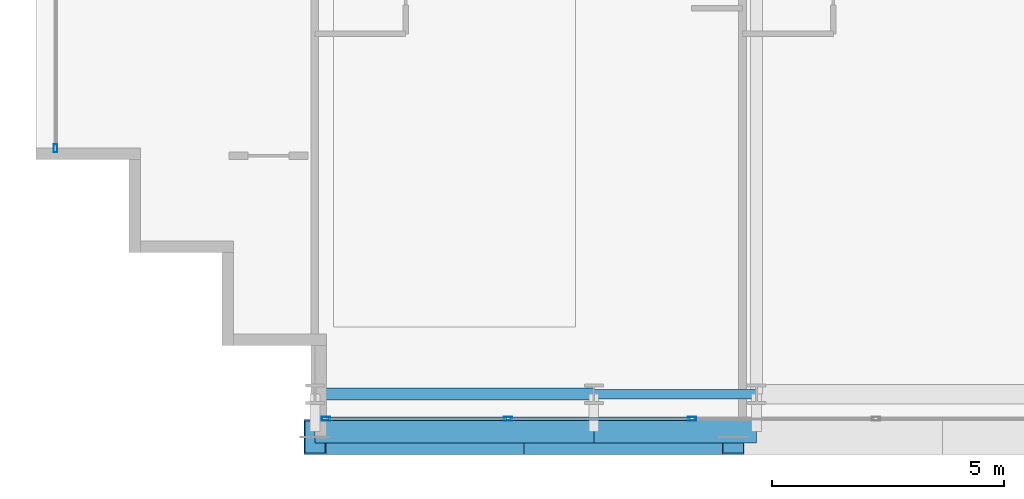
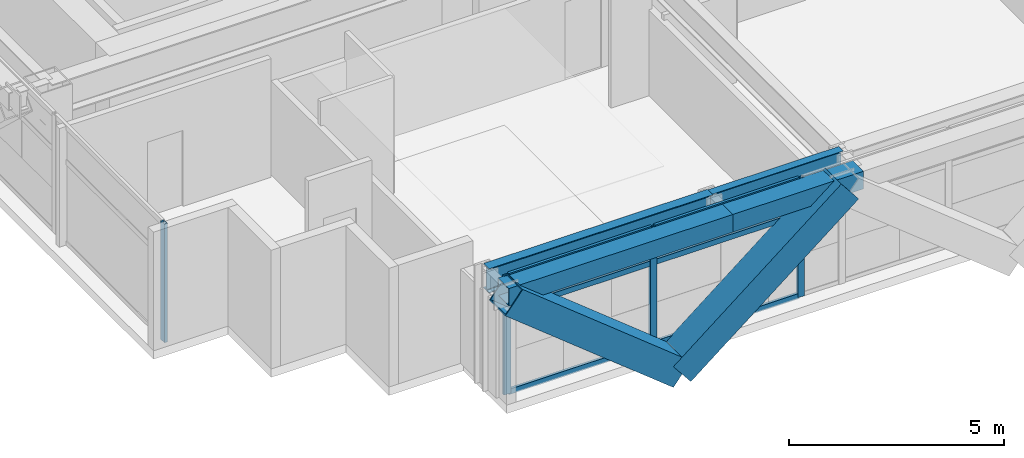
# One storey, part 2 of 35: 12 members, 4 beams, 2 elements without a shape of their own.
"""IFC4 building model written with IfcOpenShell, lengths in metres."""

from ifc_helpers import new_model, si_unit, direction, frame, origin, origin_2d, place, context, subcontext, project, spatial, hollow_rectangle, i_section, extrude, source, transform, mapped, material, layer, layer_set, material_profile, profile_set, type_object, element, aggregate, save


model = new_model("IFC4")

# Units and contexts
model_context = context("Model", 3, precision=1e-05, world=origin(), true_north=direction((0.0, 1.0)))
body_context = subcontext(model_context, "Body", "Model", "MODEL_VIEW")
ifc_project = project(units=[si_unit("LENGTHUNIT", "METRE"), si_unit("AREAUNIT", "SQUARE_METRE"), si_unit("VOLUMEUNIT", "CUBIC_METRE"), si_unit("PLANEANGLEUNIT", "RADIAN"), si_unit("MASSUNIT", "GRAM", prefix="KILO")], contexts=[model_context])

# Site, building, storey
site_placement = place(None, origin())
site = spatial("IfcSite", under=ifc_project, at=site_placement, CompositionType="ELEMENT")
building_placement = place(site_placement, origin())
building = spatial("IfcBuilding", under=site, at=building_placement, Name="Ocotamira Hotel", CompositionType="ELEMENT")
storey_placement = place(building_placement, frame((0.0, 0.0, 115.199951171875)))
storey = spatial("IfcBuildingStorey", under=building, at=storey_placement, Name="L28", CompositionType="ELEMENT", Elevation=115.199951171875)

# Beams
ifc_material_1 = material(Name="Steel ASTM A992 Grade 50", Category="steel")
ifc_material_profile_1 = material_profile(ifc_material_1, i_section(OverallWidth=0.256103515625, OverallDepth=0.693115234375, WebThickness=0.014404296875, FlangeThickness=0.023681640625, FilletRadius=0.01611328125, at=origin_2d()), Name="W27X114")
ifc_profile_set_1 = profile_set([ifc_material_profile_1], Name="Steel ASTM A992 Grade 50")
beam_type_1 = type_object("IfcBeamType", Name="BM-PRIM-W27X114", PredefinedType="BEAM", material=ifc_profile_set_1)
shared_shape_1 = source(origin(), body_context, "Body", "SweptSolid", [
    extrude(i_section(OverallWidth=0.256103515625, OverallDepth=0.693115234375, WebThickness=0.014404296875, FlangeThickness=0.023681640625, FilletRadius=0.01611328125, at=origin_2d()), origin(), (0.0, 0.0, 1.0), 6.0),
])
beam_1_placement = place(storey_placement, frame((14.0, 2.949951171875, 3.013427734375), z_axis=(1.0, 0.0, 0.0), x_axis=(0.0, 1.0, 0.0)))
element("IfcBeam", 1, at=beam_1_placement, inside=storey, type_object=beam_type_1, Name="L28 Girder Y2.95 X14-20", PredefinedType="BEAM", context=body_context, shape_type="MappedRepresentation", body=[
    mapped(shared_shape_1, transform((0.0, 0.0, 0.0), scale=1.0)),
])
ifc_material_profile_2 = material_profile(ifc_material_1, i_section(OverallWidth=0.2099609375, OverallDepth=0.537109375, WebThickness=0.010986328125, FlangeThickness=0.017333984375, FilletRadius=0.012939453125, at=origin_2d()), Name="W21X68")
ifc_profile_set_2 = profile_set([ifc_material_profile_2], Name="Steel ASTM A992 Grade 50")
beam_type_2 = type_object("IfcBeamType", Name="BM-SEC-W21X68", PredefinedType="JOIST", material=ifc_profile_set_2)
shared_shape_2 = source(origin(), body_context, "Body", "SweptSolid", [
    extrude(i_section(OverallWidth=0.2099609375, OverallDepth=0.537109375, WebThickness=0.010986328125, FlangeThickness=0.017333984375, FilletRadius=0.012939453125, at=origin_2d()), origin(), (0.0, 0.0, 1.0), 3.5),
])
beam_2_placement = place(storey_placement, frame((20.0, 2.949951171875, 3.091552734375), z_axis=(1.0, 0.0, 0.0), x_axis=(0.0, 1.0, 0.0)))
element("IfcBeam", 2, at=beam_2_placement, inside=storey, type_object=beam_type_2, Name="L28 Girder Y2.95 X20-23.5", PredefinedType="JOIST", context=body_context, shape_type="MappedRepresentation", body=[
    mapped(shared_shape_2, transform((0.0, 0.0, 0.0), scale=1.0)),
])
ifc_material_2 = material(Name="Steel ASTM A500 Grade C", Category="steel")
ifc_material_profile_3 = material_profile(ifc_material_2, hollow_rectangle(XDim=0.5, YDim=0.5, WallThickness=0.02001953125, at=origin_2d()), Name="HSS500X500X20")
ifc_profile_set_3 = profile_set([ifc_material_profile_3], Name="Steel ASTM A500 Grade C")
beam_type_3 = type_object("IfcBeamType", Name="BM-SPAN-HSS500", PredefinedType="USERDEFINED", material=ifc_profile_set_3)
shared_shape_3 = source(origin(), body_context, "Body", "SweptSolid", [
    extrude(hollow_rectangle(XDim=0.5, YDim=0.5, WallThickness=0.02001953125, at=origin_2d()), origin(), (0.0, 0.0, 1.0), 6.0),
])
beam_3_placement = place(storey_placement, frame((14.0, 2.14990234375, 3.110107421875), z_axis=(1.0, 0.0, 0.0), x_axis=(0.0, 1.0, 0.0)))
element("IfcBeam", 3, at=beam_3_placement, inside=storey, type_object=beam_type_3, Name="L28 Edge Spandrel S X14-20", ObjectType="SPANDREL", PredefinedType="USERDEFINED", context=body_context, shape_type="MappedRepresentation", body=[
    mapped(shared_shape_3, transform((0.0, 0.0, 0.0), scale=1.0)),
])
shared_shape_4 = source(origin(), body_context, "Body", "SweptSolid", [
    extrude(hollow_rectangle(XDim=0.5, YDim=0.5, WallThickness=0.02001953125, at=origin_2d()), origin(), (0.0, 0.0, 1.0), 3.5),
])
beam_4_placement = place(storey_placement, frame((20.0, 2.14990234375, 3.110107421875), z_axis=(1.0, 0.0, 0.0), x_axis=(0.0, 1.0, 0.0)))
element("IfcBeam", 4, at=beam_4_placement, inside=storey, type_object=beam_type_3, Name="L28 Edge Spandrel S X20-23.5", ObjectType="SPANDREL", PredefinedType="USERDEFINED", context=body_context, shape_type="MappedRepresentation", body=[
    mapped(shared_shape_4, transform((0.0, 0.0, 0.0), scale=1.0)),
])

# Members
ifc_material_3 = material(Name="Pale-metal coated steel ASTM A913 Grade 65", Category="steel")
ifc_material_profile_4 = material_profile(ifc_material_3, hollow_rectangle(XDim=0.75, YDim=0.75, WallThickness=0.028076171875, at=origin_2d()), Name="BOX750X750X28")
ifc_profile_set_4 = profile_set([ifc_material_profile_4], Name="Pale-metal coated steel ASTM A913 Grade 65")
member_type_1 = type_object("IfcMemberType", Name="MEM-EXO-BOX750", PredefinedType="BRACE", material=ifc_profile_set_4)
shared_shape_5 = source(origin(), body_context, "Body", "SweptSolid", [
    extrude(hollow_rectangle(XDim=0.75, YDim=0.75, WallThickness=0.028076171875, at=origin_2d()), origin(), (0.0, 0.0, 1.0), 5.762939453125),
])
for number, where, z_axis, x_axis, name in (
    (5, (18.5, 2.030029296875, -0.489990234375), (-0.780860543151, 0.0, 0.624705380279), (0.0, -1.0, 0.0), "L28 Exoskeleton Diagrid S0.1"),
    (6, (18.5, 2.030029296875, -0.489990234375), (0.780860543151, 0.0, 0.624705380279), (0.0, 1.0, 0.0), "L28 Exoskeleton Diagrid S0.2"),
):
    element("IfcMember", number, at=place(storey_placement, frame(where, z_axis=z_axis, x_axis=x_axis)), inside=storey, type_object=member_type_1, Name=name, PredefinedType="BRACE", context=body_context, shape_type="MappedRepresentation", body=[
        mapped(shared_shape_5, transform((0.0, 0.0, 0.0), scale=1.0)),
    ])

# Curtain wall, members
ifc_material_4 = material(Name="Anodised pale-metal aluminium and solar glass", Category="aluminium")
ifc_layer = layer(ifc_material_4, 0.179931640625)
ifc_layer_set = layer_set([ifc_layer], Name="Anodised pale-metal aluminium and solar glass")
curtain_wall_type = type_object("IfcCurtainWallType", Name="CW-SYS3-Z2", PredefinedType="NOTDEFINED", material=ifc_layer_set)
curtain_wall_1_placement = place(storey_placement, origin())
curtain_wall_1 = element("IfcCurtainWall", 7, at=curtain_wall_1_placement, inside=storey, type_object=curtain_wall_type, Name="L28 Curtain Wall CW-3 CW-L28-S1", PredefinedType="NOTDEFINED")
ifc_material_5 = material(Name="Anodised pale-metal aluminium 6063-T6", Category="aluminium")
ifc_material_profile_5 = material_profile(ifc_material_5, hollow_rectangle(XDim=0.074951171875, YDim=0.14990234375, WallThickness=0.006103515625, at=origin_2d()), Name="HSS150X75X6")
ifc_profile_set_5 = profile_set([ifc_material_profile_5], Name="Anodised pale-metal aluminium 6063-T6")
member_type_2 = type_object("IfcMemberType", Name="CWT-150X75", PredefinedType="USERDEFINED", material=ifc_profile_set_5)
shared_shape_6 = source(origin(), body_context, "Body", "SweptSolid", [
    extrude(hollow_rectangle(XDim=0.074951171875, YDim=0.14990234375, WallThickness=0.006103515625, at=origin_2d()), origin(), (0.0, 0.0, 1.0), 3.83544921875),
])
member_1_placement = place(storey_placement, frame((14.280029296875, 2.419921875, 0.03759765625), z_axis=(1.0, 0.0, 0.0), x_axis=(0.0, 1.0, 0.0)))
member_1 = element("IfcMember", 8, at=member_1_placement, type_object=member_type_2, Name="CW-3 transom 1.1", ObjectType="TRANSOM", PredefinedType="USERDEFINED", context=body_context, shape_type="MappedRepresentation", body=[
    mapped(shared_shape_6, transform((0.0, 0.0, 0.0), scale=1.0)),
])
member_2_placement = place(storey_placement, frame((14.280029296875, 2.419921875, 2.35009765625), z_axis=(1.0, 0.0, 0.0), x_axis=(0.0, 1.0, 0.0)))
member_2 = element("IfcMember", 9, at=member_2_placement, type_object=member_type_2, Name="CW-3 transom 1.2", ObjectType="TRANSOM", PredefinedType="USERDEFINED", context=body_context, shape_type="MappedRepresentation", body=[
    mapped(shared_shape_6, transform((0.0, 0.0, 0.0), scale=1.0)),
])
member_3_placement = place(storey_placement, frame((14.280029296875, 2.419921875, 3.322509765625), z_axis=(1.0, 0.0, 0.0), x_axis=(0.0, 1.0, 0.0)))
member_3 = element("IfcMember", 10, at=member_3_placement, type_object=member_type_2, Name="CW-3 transom 1.3", ObjectType="TRANSOM", PredefinedType="USERDEFINED", context=body_context, shape_type="MappedRepresentation", body=[
    mapped(shared_shape_6, transform((0.0, 0.0, 0.0), scale=1.0)),
])
shared_shape_7 = source(origin(), body_context, "Body", "SweptSolid", [
    extrude(hollow_rectangle(XDim=0.074951171875, YDim=0.14990234375, WallThickness=0.006103515625, at=origin_2d()), origin(), (0.0, 0.0, 1.0), 3.87548828125),
])
member_4_placement = place(storey_placement, frame((18.195556640625, 2.419921875, 0.03759765625), z_axis=(1.0, 0.0, 0.0), x_axis=(0.0, 1.0, 0.0)))
member_4 = element("IfcMember", 11, at=member_4_placement, type_object=member_type_2, Name="CW-3 transom 2.1", ObjectType="TRANSOM", PredefinedType="USERDEFINED", context=body_context, shape_type="MappedRepresentation", body=[
    mapped(shared_shape_7, transform((0.0, 0.0, 0.0), scale=1.0)),
])
member_5_placement = place(storey_placement, frame((18.195556640625, 2.419921875, 2.35009765625), z_axis=(1.0, 0.0, 0.0), x_axis=(0.0, 1.0, 0.0)))
member_5 = element("IfcMember", 12, at=member_5_placement, type_object=member_type_2, Name="CW-3 transom 2.2", ObjectType="TRANSOM", PredefinedType="USERDEFINED", context=body_context, shape_type="MappedRepresentation", body=[
    mapped(shared_shape_7, transform((0.0, 0.0, 0.0), scale=1.0)),
])
member_6_placement = place(storey_placement, frame((18.195556640625, 2.419921875, 3.322509765625), z_axis=(1.0, 0.0, 0.0), x_axis=(0.0, 1.0, 0.0)))
member_6 = element("IfcMember", 13, at=member_6_placement, type_object=member_type_2, Name="CW-3 transom 2.3", ObjectType="TRANSOM", PredefinedType="USERDEFINED", context=body_context, shape_type="MappedRepresentation", body=[
    mapped(shared_shape_7, transform((0.0, 0.0, 0.0), scale=1.0)),
])
ifc_material_profile_6 = material_profile(ifc_material_5, hollow_rectangle(XDim=0.080078125, YDim=0.179931640625, WallThickness=0.006103515625, at=origin_2d()), Name="HSS180X80X6")
ifc_profile_set_6 = profile_set([ifc_material_profile_6], Name="Anodised pale-metal aluminium 6063-T6")
member_type_3 = type_object("IfcMemberType", Name="CWM-180X75", PredefinedType="MULLION", material=ifc_profile_set_6)
shared_shape_8 = source(origin(), body_context, "Body", "SweptSolid", [
    extrude(hollow_rectangle(XDim=0.080078125, YDim=0.179931640625, WallThickness=0.006103515625, at=origin_2d()), origin(), (0.0, 0.0, 1.0), 3.360107421875),
])
member_7_placement = place(storey_placement, frame((14.239990234375, 2.419921875, 0.0), z_axis=(0.0, 0.0, 1.0), x_axis=(0.0, 1.0, 0.0)))
member_7 = element("IfcMember", 14, at=member_7_placement, type_object=member_type_3, Name="CW-3 mullion 1", PredefinedType="MULLION", context=body_context, shape_type="MappedRepresentation", body=[
    mapped(shared_shape_8, transform((0.0, 0.0, 0.0), scale=1.0)),
])
member_8_placement = place(storey_placement, frame((18.155517578125, 2.419921875, 0.0), z_axis=(0.0, 0.0, 1.0), x_axis=(0.0, 1.0, 0.0)))
member_8 = element("IfcMember", 15, at=member_8_placement, type_object=member_type_3, Name="CW-3 mullion 2", PredefinedType="MULLION", context=body_context, shape_type="MappedRepresentation", body=[
    mapped(shared_shape_8, transform((0.0, 0.0, 0.0), scale=1.0)),
])
member_9_placement = place(storey_placement, frame((22.111083984375, 2.419921875, 0.0), z_axis=(0.0, 0.0, 1.0), x_axis=(0.0, 1.0, 0.0)))
member_9 = element("IfcMember", 16, at=member_9_placement, type_object=member_type_3, Name="CW-3 mullion 3", PredefinedType="MULLION", context=body_context, shape_type="MappedRepresentation", body=[
    mapped(shared_shape_8, transform((0.0, 0.0, 0.0), scale=1.0)),
])
aggregate(curtain_wall_1, [member_7, member_8, member_9, member_1, member_2, member_3, member_4, member_5, member_6])

# Curtain wall, member
curtain_wall_2_placement = place(storey_placement, origin())
curtain_wall_2 = element("IfcCurtainWall", 17, at=curtain_wall_2_placement, inside=storey, type_object=curtain_wall_type, Name="L28 Curtain Wall CW-3 CW-L28-W", PredefinedType="NOTDEFINED")
member_10_placement = place(storey_placement, frame((8.419921875, 8.239990234375, 0.0), z_axis=(0.0, 0.0, 1.0), x_axis=(-1.0, 0.0, 0.0)))
member_10 = element("IfcMember", 18, at=member_10_placement, type_object=member_type_3, Name="CW-3 mullion 1", PredefinedType="MULLION", context=body_context, shape_type="MappedRepresentation", body=[
    mapped(shared_shape_8, transform((0.0, 0.0, 0.0), scale=1.0)),
])
aggregate(curtain_wall_2, [member_10])

save(model, "model.ifc")
